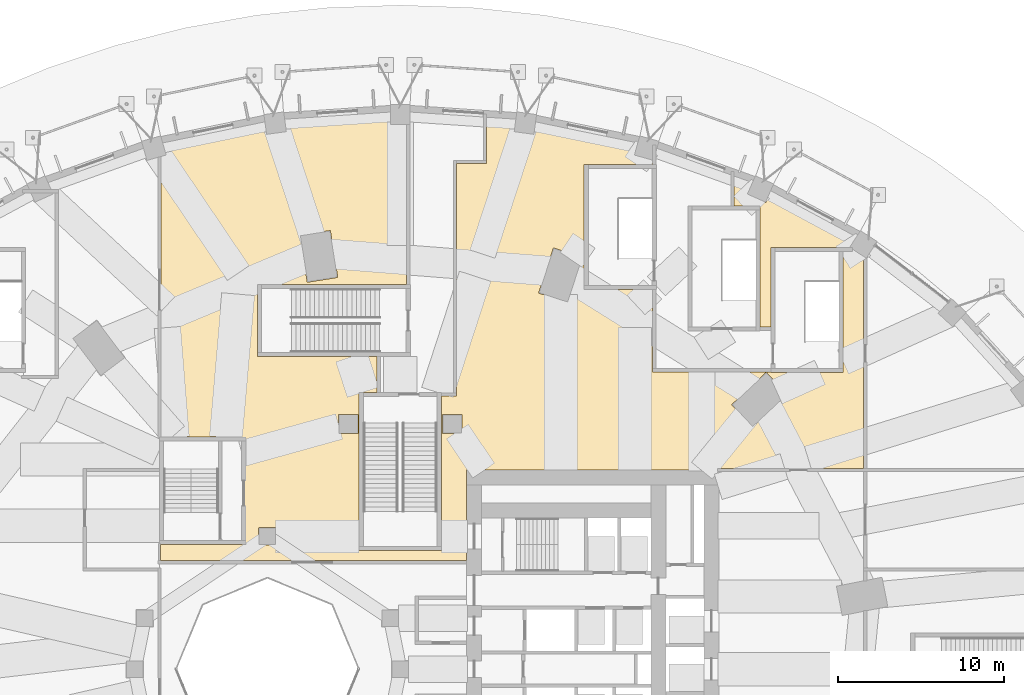
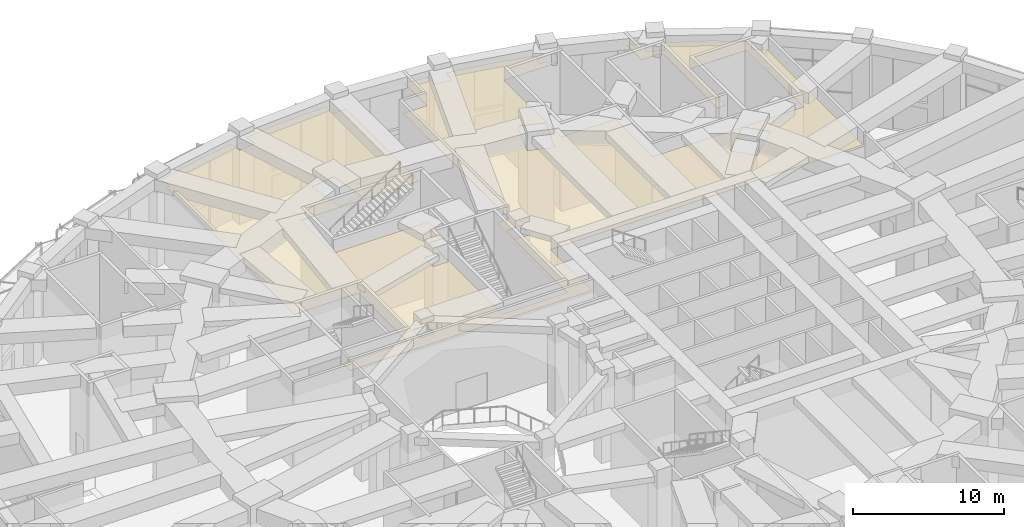
# One storey, part 58 of 60: 1 covering.
"""IFC4 building model written with IfcOpenShell, lengths in metres."""

from ifc_helpers import new_model, si_unit, direction, frame, origin, place, context, subcontext, project, spatial, polyline, outline, extrude, material, layer, layer_set, type_object, element, save


model = new_model("IFC4")

# Units and contexts
model_context = context("Model", 3, precision=1e-05, world=origin(), true_north=direction((0.0, 1.0)))
body_context = subcontext(model_context, "Body", "Model", "MODEL_VIEW")
ifc_project = project(units=[si_unit("LENGTHUNIT", "METRE"), si_unit("AREAUNIT", "SQUARE_METRE"), si_unit("VOLUMEUNIT", "CUBIC_METRE"), si_unit("PLANEANGLEUNIT", "RADIAN"), si_unit("MASSUNIT", "GRAM", prefix="KILO")], contexts=[model_context])

# Site, building, storey
site_placement = place(None, origin())
site = spatial("IfcSite", under=ifc_project, at=site_placement, CompositionType="ELEMENT")
building_placement = place(site_placement, origin())
building = spatial("IfcBuilding", under=site, at=building_placement, Name="Taillehof Tower", CompositionType="ELEMENT")
storey_placement = place(building_placement, origin())
storey = spatial("IfcBuildingStorey", under=building, at=storey_placement, Name="L00", CompositionType="ELEMENT", Elevation=0.0)

# Covering
ifc_material = material(Name="Mineral fibre ceiling tiles")
ifc_layer = layer(ifc_material, 0.030029296875)
ifc_layer_set = layer_set([ifc_layer], Name="Suspended ceiling 30 mm")
covering_type = type_object("IfcCoveringType", Name="Suspended ceiling 30 mm", PredefinedType="CEILING", material=ifc_layer_set)
covering_placement = place(storey_placement, frame((0.0, 0.0, 6.010009765625)))
element("IfcCovering", 1, at=covering_placement, inside=storey, type_object=covering_type, Name="Ceiling L00-37", PredefinedType="CEILING", context=body_context, shape_type="SweptSolid", body=[
    extrude(outline(polyline([(4.0, 6.550048828125), (-14.4375, 6.550048828125), (-14.4375, 7.5), (-9.5, 7.5), (-9.5, 14.0), (-14.39990234375, 14.0), (-14.39990234375, 30.85595703125), (-14.095458984375, 30.941650390625), (-14.0927734375, 30.942626953125), (-14.090087890625, 30.94384765625), (-14.08740234375, 30.9453125), (-14.0849609375, 30.947021484375), (-14.082763671875, 30.948974609375), (-14.080810546875, 30.951171875), (-14.0791015625, 30.953369140625), (-14.077392578125, 30.955810546875), (-14.076171875, 30.95849609375), (-14.0751953125, 30.961181640625), (-14.07421875, 30.964111328125), (-14.07373046875, 30.967041015625), (-14.07373046875, 30.969970703125), (-14.07373046875, 30.972900390625), (-14.07421875, 30.975830078125), (-14.07470703125, 30.978759765625), (-14.31201171875, 31.822265625), (-11.3046875, 32.552978515625), (-8.1982421875, 33.083740234375), (-8.07958984375, 32.213134765625), (-8.0791015625, 32.210205078125), (-8.078125, 32.207275390625), (-8.0771484375, 32.20458984375), (-8.07568359375, 32.201904296875), (-8.07421875, 32.199462890625), (-8.072265625, 32.197265625), (-8.0703125, 32.195068359375), (-8.06787109375, 32.193115234375), (-8.065673828125, 32.19140625), (-8.06298828125, 32.190185546875), (-8.060302734375, 32.18896484375), (-8.057373046875, 32.18798828125), (-8.0546875, 32.1875), (-8.0517578125, 32.18701171875), (-8.048828125, 32.18701171875), (-8.0458984375, 32.187255859375), (-6.856689453125, 32.349365234375), (-6.853759765625, 32.349853515625), (-6.85107421875, 32.350830078125), (-6.848388671875, 32.351806640625), (-6.845703125, 32.353271484375), (-6.84326171875, 32.354736328125), (-6.8408203125, 32.356689453125), (-6.8388671875, 32.358642578125), (-6.8369140625, 32.36083984375), (-6.835205078125, 32.36328125), (-6.833740234375, 32.365966796875), (-6.832763671875, 32.36865234375), (-6.831787109375, 32.371337890625), (-6.831298828125, 32.374267578125), (-6.830810546875, 32.377197265625), (-6.830810546875, 32.380126953125), (-6.8310546875, 32.383056640625), (-6.94970703125, 33.253173828125), (-3.806640625, 33.572021484375), (-0.6298828125, 33.678955078125), (-0.6298828125, 32.800048828125), (-0.6298828125, 32.797119140625), (-0.62939453125, 32.794189453125), (-0.628662109375, 32.791259765625), (-0.627685546875, 32.78857421875), (-0.62646484375, 32.785888671875), (-0.625, 32.783447265625), (-0.623291015625, 32.781005859375), (-0.62109375, 32.77880859375), (-0.619140625, 32.77685546875), (-0.61669921875, 32.775146484375), (-0.6142578125, 32.7734375), (-0.611572265625, 32.772216796875), (-0.608642578125, 32.771240234375), (-0.60595703125, 32.7705078125), (-0.60302734375, 32.770263671875), (-0.60009765625, 32.77001953125), (0.385009765625, 32.77001953125), (0.385009765625, 23.175048828125), (-8.360107421875, 23.175048828125), (-8.610107421875, 23.175048828125), (-8.610107421875, 19.074951171875), (-8.610107421875, 18.824951171875), (-1.39990234375, 18.824951171875), (-1.39990234375, 16.669921875), (-2.22509765625, 16.669921875), (-2.47509765625, 16.669921875), (-2.47509765625, 7.39990234375), (-2.47509765625, 7.14990234375), (2.47509765625, 7.14990234375), (2.47509765625, 7.39990234375), (2.47509765625, 16.445068359375), (3.39990234375, 16.445068359375), (3.39990234375, 16.64501953125), (3.39990234375, 30.449951171875), (5.199951171875, 30.449951171875), (5.199951171875, 30.64990234375), (5.199951171875, 33.4306640625), (6.94970703125, 33.253173828125), (6.8310546875, 32.383056640625), (6.830810546875, 32.380126953125), (6.830810546875, 32.377197265625), (6.831298828125, 32.374267578125), (6.831787109375, 32.371337890625), (6.832763671875, 32.36865234375), (6.833740234375, 32.365966796875), (6.835205078125, 32.36328125), (6.8369140625, 32.36083984375), (6.8388671875, 32.358642578125), (6.8408203125, 32.356689453125), (6.84326171875, 32.354736328125), (6.845703125, 32.353271484375), (6.848388671875, 32.351806640625), (6.85107421875, 32.350830078125), (6.853759765625, 32.349853515625), (6.856689453125, 32.349365234375), (8.0458984375, 32.187255859375), (8.048828125, 32.18701171875), (8.0517578125, 32.18701171875), (8.0546875, 32.1875), (8.057373046875, 32.18798828125), (8.060302734375, 32.18896484375), (8.06298828125, 32.190185546875), (8.065673828125, 32.19140625), (8.06787109375, 32.193115234375), (8.0703125, 32.195068359375), (8.072265625, 32.197265625), (8.07421875, 32.199462890625), (8.07568359375, 32.201904296875), (8.0771484375, 32.20458984375), (8.078125, 32.207275390625), (8.0791015625, 32.210205078125), (8.07958984375, 32.213134765625), (8.1982421875, 33.083740234375), (11.3046875, 32.552978515625), (14.31201171875, 31.822265625), (14.07470703125, 30.978759765625), (14.07421875, 30.975830078125), (14.07373046875, 30.972900390625), (14.07373046875, 30.969970703125), (14.07373046875, 30.967041015625), (14.07421875, 30.964111328125), (14.0751953125, 30.961181640625), (14.076171875, 30.95849609375), (14.077392578125, 30.955810546875), (14.0791015625, 30.953369140625), (14.080810546875, 30.951171875), (14.082763671875, 30.948974609375), (14.0849609375, 30.947021484375), (14.08740234375, 30.9453125), (14.090087890625, 30.94384765625), (14.0927734375, 30.942626953125), (14.095458984375, 30.941650390625), (15.199951171875, 30.631103515625), (15.199951171875, 30.4150390625), (11.324951171875, 30.4150390625), (11.074951171875, 30.4150390625), (11.074951171875, 23.125), (11.074951171875, 22.875), (15.199951171875, 22.875), (15.199951171875, 18.10009765625), (15.199951171875, 17.89990234375), (22.324951171875, 17.89990234375), (22.324951171875, 17.875), (26.675048828125, 17.875), (26.675048828125, 18.125), (26.675048828125, 25.1650390625), (26.675048828125, 25.4150390625), (22.574951171875, 25.4150390625), (22.324951171875, 25.4150390625), (22.324951171875, 20.60009765625), (21.675048828125, 20.60009765625), (21.675048828125, 27.6650390625), (21.675048828125, 27.9150390625), (20.114501953125, 27.9150390625), (20.114501953125, 29.88232421875), (21.236328125, 29.432373046875), (20.880126953125, 28.634033203125), (20.879150390625, 28.63134765625), (20.87841796875, 28.62841796875), (20.8779296875, 28.62548828125), (20.877685546875, 28.62255859375), (20.877685546875, 28.61962890625), (20.8779296875, 28.61669921875), (20.878662109375, 28.61376953125), (20.879638671875, 28.611083984375), (20.880859375, 28.6083984375), (20.88232421875, 28.605712890625), (20.8837890625, 28.603271484375), (20.8857421875, 28.60107421875), (20.887939453125, 28.59912109375), (20.890380859375, 28.59716796875), (20.892822265625, 28.595703125), (20.895263671875, 28.594482421875), (21.9912109375, 28.10546875), (21.993896484375, 28.1044921875), (21.996826171875, 28.103515625), (21.999755859375, 28.10302734375), (22.002685546875, 28.102783203125), (22.005615234375, 28.10302734375), (22.008544921875, 28.103271484375), (22.011474609375, 28.10400390625), (22.01416015625, 28.104736328125), (22.016845703125, 28.10595703125), (22.01953125, 28.107421875), (22.02197265625, 28.109130859375), (22.024169921875, 28.111083984375), (22.026123046875, 28.11328125), (22.028076171875, 28.115478515625), (22.029541015625, 28.117919921875), (22.031005859375, 28.12060546875), (22.387939453125, 28.921142578125), (25.055419921875, 27.611572265625), (27.51611328125, 26.156494140625), (27.0419921875, 25.42529296875), (27.04052734375, 25.422607421875), (27.039306640625, 25.419921875), (27.038330078125, 25.417236328125), (27.03759765625, 25.414306640625), (27.037109375, 25.411376953125), (27.037109375, 25.408447265625), (27.037353515625, 25.405517578125), (27.037841796875, 25.402587890625), (27.03857421875, 25.399658203125), (27.03955078125, 25.39697265625), (27.040771484375, 25.394287109375), (27.04248046875, 25.391845703125), (27.044189453125, 25.389404296875), (27.046142578125, 25.387451171875), (27.04833984375, 25.385498046875), (27.05078125, 25.3837890625), (27.89990234375, 24.8330078125), (27.89990234375, 12.10009765625), (19.10009765625, 12.10009765625), (19.10009765625, 12.0), (4.0, 12.0), (4.0, 6.550048828125)]), holes=[polyline([(-8.511474609375, 7.47216796875), (-8.5087890625, 7.47119140625), (-8.505859375, 7.470458984375), (-8.5029296875, 7.47021484375), (-8.5, 7.469970703125), (-7.5, 7.469970703125), (-7.4970703125, 7.47021484375), (-7.494140625, 7.470458984375), (-7.4912109375, 7.47119140625), (-7.488525390625, 7.47216796875), (-7.48583984375, 7.4736328125), (-7.4833984375, 7.47509765625), (-7.48095703125, 7.476806640625), (-7.478759765625, 7.478759765625), (-7.476806640625, 7.48095703125), (-7.47509765625, 7.4833984375), (-7.4736328125, 7.48583984375), (-7.47216796875, 7.488525390625), (-7.47119140625, 7.4912109375), (-7.470458984375, 7.494140625), (-7.47021484375, 7.4970703125), (-7.469970703125, 7.5), (-7.469970703125, 8.5), (-7.47021484375, 8.5029296875), (-7.470458984375, 8.505859375), (-7.47119140625, 8.5087890625), (-7.47216796875, 8.511474609375), (-7.4736328125, 8.51416015625), (-7.47509765625, 8.5166015625), (-7.476806640625, 8.51904296875), (-7.478759765625, 8.521240234375), (-7.48095703125, 8.523193359375), (-7.4833984375, 8.52490234375), (-7.48583984375, 8.5263671875), (-7.488525390625, 8.52783203125), (-7.4912109375, 8.52880859375), (-7.494140625, 8.529541015625), (-7.4970703125, 8.52978515625), (-7.5, 8.530029296875), (-8.5, 8.530029296875), (-8.5029296875, 8.52978515625), (-8.505859375, 8.529541015625), (-8.5087890625, 8.52880859375), (-8.511474609375, 8.52783203125), (-8.51416015625, 8.5263671875), (-8.5166015625, 8.52490234375), (-8.51904296875, 8.523193359375), (-8.521240234375, 8.521240234375), (-8.523193359375, 8.51904296875), (-8.52490234375, 8.5166015625), (-8.5263671875, 8.51416015625), (-8.52783203125, 8.511474609375), (-8.52880859375, 8.5087890625), (-8.529541015625, 8.505859375), (-8.52978515625, 8.5029296875), (-8.530029296875, 8.5), (-8.530029296875, 7.5), (-8.52978515625, 7.4970703125), (-8.529541015625, 7.494140625), (-8.52880859375, 7.4912109375), (-8.52783203125, 7.488525390625), (-8.5263671875, 7.48583984375), (-8.52490234375, 7.4833984375), (-8.523193359375, 7.48095703125), (-8.521240234375, 7.478759765625), (-8.51904296875, 7.476806640625), (-8.5166015625, 7.47509765625), (-8.51416015625, 7.4736328125), (-8.511474609375, 7.47216796875)]), polyline([(-3.687255859375, 14.1943359375), (-3.684326171875, 14.193359375), (-3.681640625, 14.192626953125), (-3.6787109375, 14.1923828125), (-3.67578125, 14.192138671875), (-2.57568359375, 14.192138671875), (-2.57275390625, 14.1923828125), (-2.56982421875, 14.192626953125), (-2.56689453125, 14.193359375), (-2.564208984375, 14.1943359375), (-2.5615234375, 14.195556640625), (-2.55908203125, 14.197265625), (-2.556640625, 14.198974609375), (-2.554443359375, 14.200927734375), (-2.552490234375, 14.203125), (-2.55078125, 14.20556640625), (-2.54931640625, 14.2080078125), (-2.5478515625, 14.210693359375), (-2.546875, 14.21337890625), (-2.546142578125, 14.21630859375), (-2.5458984375, 14.21923828125), (-2.545654296875, 14.22216796875), (-2.545654296875, 15.322021484375), (-2.5458984375, 15.324951171875), (-2.546142578125, 15.327880859375), (-2.546875, 15.330810546875), (-2.5478515625, 15.33349609375), (-2.54931640625, 15.336181640625), (-2.55078125, 15.3388671875), (-2.552490234375, 15.341064453125), (-2.554443359375, 15.34326171875), (-2.556640625, 15.34521484375), (-2.55908203125, 15.34716796875), (-2.5615234375, 15.3486328125), (-2.564208984375, 15.349853515625), (-2.56689453125, 15.350830078125), (-2.56982421875, 15.3515625), (-2.57275390625, 15.35205078125), (-2.57568359375, 15.35205078125), (-3.67578125, 15.35205078125), (-3.6787109375, 15.35205078125), (-3.681640625, 15.3515625), (-3.684326171875, 15.350830078125), (-3.687255859375, 15.349853515625), (-3.689697265625, 15.3486328125), (-3.6923828125, 15.34716796875), (-3.694580078125, 15.34521484375), (-3.69677734375, 15.34326171875), (-3.698974609375, 15.341064453125), (-3.70068359375, 15.3388671875), (-3.7021484375, 15.336181640625), (-3.703369140625, 15.33349609375), (-3.704345703125, 15.330810546875), (-3.705078125, 15.327880859375), (-3.70556640625, 15.324951171875), (-3.70556640625, 15.322021484375), (-3.70556640625, 14.22216796875), (-3.70556640625, 14.21923828125), (-3.705078125, 14.21630859375), (-3.704345703125, 14.21337890625), (-3.703369140625, 14.210693359375), (-3.7021484375, 14.2080078125), (-3.70068359375, 14.20556640625), (-3.698974609375, 14.203125), (-3.69677734375, 14.200927734375), (-3.694580078125, 14.198974609375), (-3.6923828125, 14.197265625), (-3.689697265625, 14.195556640625), (-3.687255859375, 14.1943359375)]), polyline([(2.564208984375, 14.1943359375), (2.56689453125, 14.193359375), (2.56982421875, 14.192626953125), (2.57275390625, 14.1923828125), (2.57568359375, 14.192138671875), (3.67578125, 14.192138671875), (3.6787109375, 14.1923828125), (3.681640625, 14.192626953125), (3.684326171875, 14.193359375), (3.687255859375, 14.1943359375), (3.689697265625, 14.195556640625), (3.6923828125, 14.197265625), (3.694580078125, 14.198974609375), (3.69677734375, 14.200927734375), (3.698974609375, 14.203125), (3.70068359375, 14.20556640625), (3.7021484375, 14.2080078125), (3.703369140625, 14.210693359375), (3.704345703125, 14.21337890625), (3.705078125, 14.21630859375), (3.70556640625, 14.21923828125), (3.70556640625, 14.22216796875), (3.70556640625, 15.322021484375), (3.70556640625, 15.324951171875), (3.705078125, 15.327880859375), (3.704345703125, 15.330810546875), (3.703369140625, 15.33349609375), (3.7021484375, 15.336181640625), (3.70068359375, 15.3388671875), (3.698974609375, 15.341064453125), (3.69677734375, 15.34326171875), (3.694580078125, 15.34521484375), (3.6923828125, 15.34716796875), (3.689697265625, 15.3486328125), (3.687255859375, 15.349853515625), (3.684326171875, 15.350830078125), (3.681640625, 15.3515625), (3.6787109375, 15.35205078125), (3.67578125, 15.35205078125), (2.57568359375, 15.35205078125), (2.57275390625, 15.35205078125), (2.56982421875, 15.3515625), (2.56689453125, 15.350830078125), (2.564208984375, 15.349853515625), (2.5615234375, 15.3486328125), (2.55908203125, 15.34716796875), (2.556640625, 15.34521484375), (2.554443359375, 15.34326171875), (2.552490234375, 15.341064453125), (2.55078125, 15.3388671875), (2.54931640625, 15.336181640625), (2.5478515625, 15.33349609375), (2.546875, 15.330810546875), (2.546142578125, 15.327880859375), (2.5458984375, 15.324951171875), (2.545654296875, 15.322021484375), (2.545654296875, 14.22216796875), (2.5458984375, 14.21923828125), (2.546142578125, 14.21630859375), (2.546875, 14.21337890625), (2.5478515625, 14.210693359375), (2.54931640625, 14.2080078125), (2.55078125, 14.20556640625), (2.552490234375, 14.203125), (2.554443359375, 14.200927734375), (2.556640625, 14.198974609375), (2.55908203125, 14.197265625), (2.5615234375, 14.195556640625), (2.564208984375, 14.1943359375)]), polyline([(-3.768798828125, 23.6171875), (-3.768310546875, 23.619873046875), (-3.76806640625, 23.622802734375), (-3.76806640625, 23.6259765625), (-3.768310546875, 23.62890625), (-4.20556640625, 26.39453125), (-4.2060546875, 26.397216796875), (-4.20703125, 26.400146484375), (-4.208251953125, 26.40283203125), (-4.209716796875, 26.405517578125), (-4.211181640625, 26.407958984375), (-4.213134765625, 26.41015625), (-4.21533203125, 26.412109375), (-4.217529296875, 26.4140625), (-4.219970703125, 26.41552734375), (-4.22265625, 26.4169921875), (-4.225341796875, 26.418212890625), (-4.228271484375, 26.4189453125), (-4.231201171875, 26.41943359375), (-4.234130859375, 26.419677734375), (-4.237060546875, 26.419677734375), (-4.239990234375, 26.41943359375), (-6.017822265625, 26.138427734375), (-6.020751953125, 26.1376953125), (-6.0234375, 26.13671875), (-6.026123046875, 26.1357421875), (-6.02880859375, 26.13427734375), (-6.03125, 26.132568359375), (-6.033447265625, 26.130615234375), (-6.03564453125, 26.128662109375), (-6.037353515625, 26.126220703125), (-6.0390625, 26.123779296875), (-6.040283203125, 26.121337890625), (-6.04150390625, 26.118408203125), (-6.042236328125, 26.11572265625), (-6.042724609375, 26.11279296875), (-6.043212890625, 26.10986328125), (-6.04296875, 26.10693359375), (-6.042724609375, 26.10400390625), (-5.60546875, 23.33837890625), (-5.60498046875, 23.33544921875), (-5.60400390625, 23.332763671875), (-5.60302734375, 23.329833984375), (-5.6015625, 23.327392578125), (-5.599853515625, 23.324951171875), (-5.597900390625, 23.32275390625), (-5.595947265625, 23.320556640625), (-5.593505859375, 23.31884765625), (-5.591064453125, 23.317138671875), (-5.58837890625, 23.315673828125), (-5.585693359375, 23.314697265625), (-5.5830078125, 23.31396484375), (-5.580078125, 23.313232421875), (-5.5771484375, 23.31298828125), (-5.57421875, 23.31298828125), (-5.5712890625, 23.3134765625), (-3.793212890625, 23.594482421875), (-3.79052734375, 23.594970703125), (-3.78759765625, 23.595947265625), (-3.784912109375, 23.59716796875), (-3.7822265625, 23.5986328125), (-3.77978515625, 23.60009765625), (-3.777587890625, 23.60205078125), (-3.775634765625, 23.604248046875), (-3.773681640625, 23.6064453125), (-3.772216796875, 23.60888671875), (-3.770751953125, 23.611572265625), (-3.76953125, 23.6142578125), (-3.768798828125, 23.6171875)]), polyline([(21.244140625, 14.588623046875), (21.246826171875, 14.589599609375), (21.24951171875, 14.591064453125), (21.251953125, 14.5927734375), (21.254150390625, 14.5947265625), (23.29833984375, 16.508056640625), (23.300537109375, 16.51025390625), (23.30224609375, 16.512451171875), (23.303955078125, 16.514892578125), (23.30517578125, 16.517578125), (23.306396484375, 16.520263671875), (23.30712890625, 16.523193359375), (23.3076171875, 16.526123046875), (23.307861328125, 16.529052734375), (23.307861328125, 16.531982421875), (23.3076171875, 16.534912109375), (23.306884765625, 16.53759765625), (23.305908203125, 16.54052734375), (23.304931640625, 16.543212890625), (23.303466796875, 16.545654296875), (23.3017578125, 16.548095703125), (23.2998046875, 16.550537109375), (22.06982421875, 17.86474609375), (22.067626953125, 17.86669921875), (22.0654296875, 17.868408203125), (22.06298828125, 17.8701171875), (22.060302734375, 17.87158203125), (22.0576171875, 17.87255859375), (22.0546875, 17.873291015625), (22.0517578125, 17.873779296875), (22.048828125, 17.8740234375), (22.0458984375, 17.8740234375), (22.04296875, 17.873779296875), (22.040283203125, 17.873046875), (22.037353515625, 17.872314453125), (22.03466796875, 17.87109375), (22.031982421875, 17.86962890625), (22.02978515625, 17.867919921875), (22.02734375, 17.865966796875), (19.983154296875, 15.95263671875), (19.98095703125, 15.95068359375), (19.979248046875, 15.9482421875), (19.9775390625, 15.94580078125), (19.976318359375, 15.943115234375), (19.97509765625, 15.9404296875), (19.974365234375, 15.937744140625), (19.973876953125, 15.934814453125), (19.9736328125, 15.931884765625), (19.9736328125, 15.928955078125), (19.97412109375, 15.926025390625), (19.974609375, 15.923095703125), (19.9755859375, 15.920166015625), (19.976806640625, 15.91748046875), (19.97802734375, 15.9150390625), (19.979736328125, 15.91259765625), (19.981689453125, 15.910400390625), (21.211669921875, 14.59619140625), (21.2138671875, 14.593994140625), (21.216064453125, 14.59228515625), (21.218505859375, 14.590576171875), (21.22119140625, 14.58935546875), (21.223876953125, 14.588134765625), (21.226806640625, 14.58740234375), (21.229736328125, 14.5869140625), (21.232666015625, 14.586669921875), (21.235595703125, 14.586669921875), (21.238525390625, 14.5869140625), (21.241455078125, 14.587646484375), (21.244140625, 14.588623046875)]), polyline([(10.106201171875, 22.09765625), (10.10791015625, 22.099853515625), (10.109619140625, 22.1025390625), (10.11083984375, 22.10498046875), (10.11181640625, 22.10791015625), (10.98046875, 24.769775390625), (10.981201171875, 24.7724609375), (10.981689453125, 24.775390625), (10.98193359375, 24.7783203125), (10.98193359375, 24.78125), (10.9814453125, 24.7841796875), (10.98095703125, 24.787109375), (10.97998046875, 24.789794921875), (10.978759765625, 24.79248046875), (10.977294921875, 24.795166015625), (10.9755859375, 24.797607421875), (10.9736328125, 24.7998046875), (10.971435546875, 24.8017578125), (10.96923828125, 24.803466796875), (10.966552734375, 24.80517578125), (10.964111328125, 24.806396484375), (10.961181640625, 24.807373046875), (9.25, 25.365966796875), (9.247314453125, 25.36669921875), (9.244384765625, 25.3671875), (9.241455078125, 25.367431640625), (9.238525390625, 25.3671875), (9.235595703125, 25.366943359375), (9.232666015625, 25.3662109375), (9.22998046875, 25.365234375), (9.227294921875, 25.364013671875), (9.224609375, 25.362548828125), (9.22216796875, 25.36083984375), (9.219970703125, 25.359130859375), (9.218017578125, 25.35693359375), (9.21630859375, 25.3544921875), (9.214599609375, 25.35205078125), (9.21337890625, 25.349365234375), (9.212158203125, 25.3466796875), (8.34375, 22.684814453125), (8.3427734375, 22.681884765625), (8.34228515625, 22.678955078125), (8.34228515625, 22.676025390625), (8.34228515625, 22.673095703125), (8.342529296875, 22.670166015625), (8.34326171875, 22.66748046875), (8.34423828125, 22.66455078125), (8.345458984375, 22.661865234375), (8.346923828125, 22.659423828125), (8.3486328125, 22.656982421875), (8.3505859375, 22.65478515625), (8.3525390625, 22.65283203125), (8.35498046875, 22.65087890625), (8.357421875, 22.6494140625), (8.360107421875, 22.64794921875), (8.36279296875, 22.64697265625), (10.073974609375, 22.088623046875), (10.076904296875, 22.087890625), (10.079833984375, 22.08740234375), (10.082763671875, 22.087158203125), (10.085693359375, 22.087158203125), (10.088623046875, 22.087646484375), (10.091552734375, 22.088134765625), (10.09423828125, 22.089111328125), (10.096923828125, 22.09033203125), (10.099609375, 22.091796875), (10.101806640625, 22.093505859375), (10.10400390625, 22.095458984375), (10.106201171875, 22.09765625)])]), origin(), (0.0, 0.0, 1.0), 0.030029296875),
])

save(model, "model.ifc")
